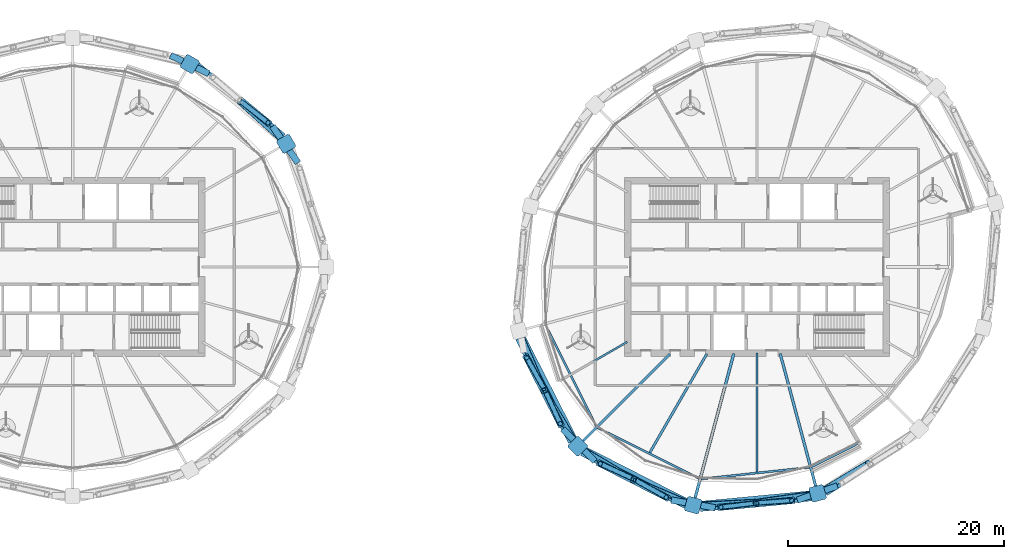
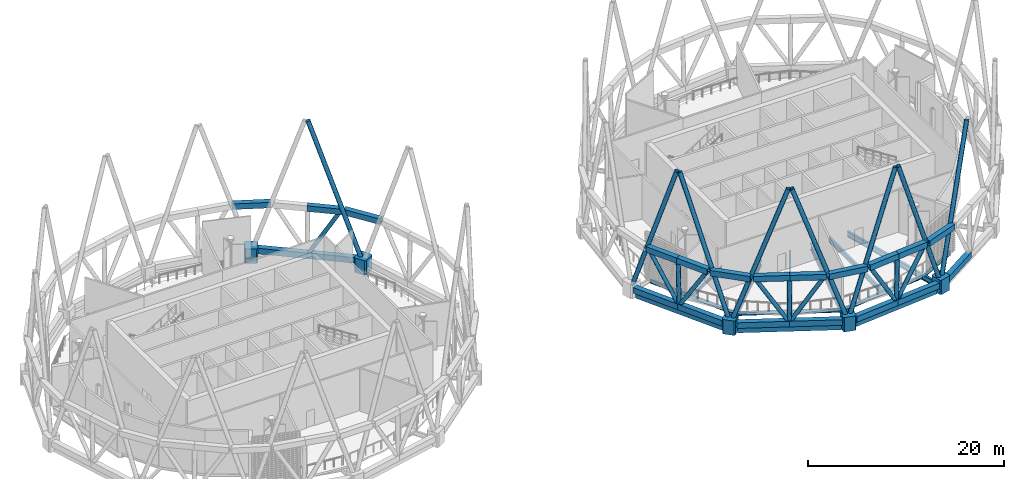
# One storey, part 6 of 22: 44 members, 13 beams.
"""IFC4 building model written with IfcOpenShell, lengths in metres."""

from ifc_helpers import new_model, si_unit, direction, frame, origin, origin_2d, place, context, subcontext, project, spatial, polyline, hollow_rectangle, hollow_circle, i_section, outline, extrude, material, material_profile, profile_set, type_object, element, save


model = new_model("IFC4")

# Units and contexts
model_context = context("Model", 3, precision=1e-05, world=origin(), true_north=direction((0.0, 1.0)))
body_context = subcontext(model_context, "Body", "Model", "MODEL_VIEW")
ifc_project = project(units=[si_unit("LENGTHUNIT", "METRE"), si_unit("AREAUNIT", "SQUARE_METRE"), si_unit("VOLUMEUNIT", "CUBIC_METRE"), si_unit("PLANEANGLEUNIT", "RADIAN"), si_unit("MASSUNIT", "GRAM", prefix="KILO")], contexts=[model_context])

# Site, building, storey
site_placement = place(None, origin())
site = spatial("IfcSite", under=ifc_project, at=site_placement, CompositionType="ELEMENT")
building_placement = place(site_placement, origin())
building = spatial("IfcBuilding", under=site, at=building_placement, Name="Rimbun Link Towers", CompositionType="ELEMENT")
storey_placement = place(building_placement, frame((0.0, 0.0, 204.5)))
storey = spatial("IfcBuildingStorey", under=building, at=storey_placement, Name="L50", CompositionType="ELEMENT", Elevation=204.5)

# Members
ifc_material_1 = material(Name="Steel S460N", Category="steel")
ifc_material_profile_1 = material_profile(ifc_material_1, hollow_rectangle(XDim=0.60009765625, YDim=0.699951171875, WallThickness=0.034912109375, at=origin_2d()), Name="Belt truss chord BOX 600x700x35")
ifc_profile_set_1 = profile_set([ifc_material_profile_1], Name="Steel S460N")
member_type_1 = type_object("IfcMemberType", Name="Belt truss chord BOX 600x700x35", PredefinedType="CHORD", material=ifc_profile_set_1)
member_1_placement = place(storey_placement, frame((-10.83544921875, 9.66259765625, 6.0), z_axis=(-0.572589892048, 0.819841945453, 0.0), x_axis=(-0.819841945453, -0.572589892048, 0.0)))
element("IfcMember", 1, at=member_1_placement, inside=storey, type_object=member_type_1, Name="Belt truss chord T1 L50 top 01", PredefinedType="CHORD", context=body_context, shape_type="SweptSolid", body=[
    extrude(hollow_rectangle(XDim=0.60009765625, YDim=0.699951171875, WallThickness=0.034912109375, at=origin_2d()), origin(), (0.0, 0.0, 1.0), 4.152099609375),
])
member_2_placement = place(storey_placement, frame((-19.102294921875, 17.935791015625, 6.0), z_axis=(-0.902203286827, 0.431311058564, 0.0), x_axis=(-0.431311058564, -0.902203286827, 0.0)))
element("IfcMember", 2, at=member_2_placement, inside=storey, type_object=member_type_1, Name="Belt truss chord T1 L50 top 02", PredefinedType="CHORD", context=body_context, shape_type="SweptSolid", body=[
    extrude(hollow_rectangle(XDim=0.60009765625, YDim=0.699951171875, WallThickness=0.034912109375, at=origin_2d()), origin(), (0.0, 0.0, 1.0), 3.947509765625),
])
for number, where, z_axis, x_axis, name in (
    (3, (-12.197509765625, 12.10595703125, 0.18994140625), (-0.770640371159, 0.637270286723, 0.0), (-0.637270286723, -0.770640371159, 0.0), "Belt truss chord T1 L50 bottom 02"),
    (4, (-16.185546875, 15.40380859375, 0.18994140625), (-0.770640371159, 0.637270286723, 0.0), (-0.637270286723, -0.770640371159, 0.0), "Belt truss chord T1 L50 bottom 03"),
):
    element("IfcMember", number, at=place(storey_placement, frame(where, z_axis=z_axis, x_axis=x_axis)), inside=storey, type_object=member_type_1, Name=name, PredefinedType="CHORD", context=body_context, shape_type="SweptSolid", body=[
        extrude(hollow_rectangle(XDim=0.60009765625, YDim=0.699951171875, WallThickness=0.034912109375, at=origin_2d()), origin(), (0.0, 0.0, 1.0), 5.175048828125),
    ])
member_3_placement = place(storey_placement, frame((-13.40966796875, 13.220458984375, 6.0), z_axis=(-0.77064075529, 0.6372698222, 0.0), x_axis=(-0.6372698222, -0.77064075529, 0.0)))
element("IfcMember", 5, at=member_3_placement, inside=storey, type_object=member_type_1, Name="Belt truss chord T1 L50 top 14", PredefinedType="CHORD", context=body_context, shape_type="SweptSolid", body=[
    extrude(hollow_rectangle(XDim=0.60009765625, YDim=0.699951171875, WallThickness=0.034912109375, at=origin_2d()), origin(), (0.0, 0.0, 1.0), 3.5732421875),
])
member_4_placement = place(storey_placement, frame((13.725341796875, -15.012939453125, 6.0), z_axis=(0.707106781187, -0.707106781187, 0.0), x_axis=(0.707106781187, 0.707106781187, 0.0)))
element("IfcMember", 6, at=member_4_placement, inside=storey, type_object=member_type_1, Name="Belt truss chord T2 L50 top 06", PredefinedType="CHORD", context=body_context, shape_type="SweptSolid", body=[
    extrude(hollow_rectangle(XDim=0.60009765625, YDim=0.699951171875, WallThickness=0.034912109375, at=origin_2d()), origin(), (0.0, 0.0, 1.0), 4.25927734375),
])
member_5_placement = place(storey_placement, frame((23.79345703125, -21.62109375, 6.0), z_axis=(0.984581641685, -0.174925672381, 0.0), x_axis=(0.174925672381, 0.984581641685, 0.0)))
element("IfcMember", 7, at=member_5_placement, inside=storey, type_object=member_type_1, Name="Belt truss chord T2 L50 top 07", PredefinedType="CHORD", context=body_context, shape_type="SweptSolid", body=[
    extrude(hollow_rectangle(XDim=0.60009765625, YDim=0.699951171875, WallThickness=0.034912109375, at=origin_2d()), origin(), (0.0, 0.0, 1.0), 4.152099609375),
])
member_6_placement = place(storey_placement, frame((35.4892578125, -21.625732421875, 6.0), z_axis=(0.942930944728, 0.332988338346, 0.0), x_axis=(-0.332988338346, 0.942930944728, 0.0)))
element("IfcMember", 8, at=member_6_placement, inside=storey, type_object=member_type_1, Name="Belt truss chord T2 L50 top 08", PredefinedType="CHORD", context=body_context, shape_type="SweptSolid", body=[
    extrude(hollow_rectangle(XDim=0.60009765625, YDim=0.699951171875, WallThickness=0.034912109375, at=origin_2d()), origin(), (0.0, 0.0, 1.0), 3.947509765625),
])
for number, where, z_axis, x_axis, name in (
    (9, (9.62548828125, -6.63671875, 0.18994140625), (0.454431449541, -0.89078171157, 0.0), (0.89078171157, 0.454431449541, 0.0), "Belt truss chord T2 L50 bottom 10"),
    (10, (12.07373046875, -11.435791015625, 0.18994140625), (0.454395490338, -0.890800055209, 0.0), (0.890800055209, 0.454395490338, 0.0), "Belt truss chord T2 L50 bottom 11"),
):
    element("IfcMember", number, at=place(storey_placement, frame(where, z_axis=z_axis, x_axis=x_axis)), inside=storey, type_object=member_type_1, Name=name, PredefinedType="CHORD", context=body_context, shape_type="SweptSolid", body=[
        extrude(hollow_rectangle(XDim=0.60009765625, YDim=0.699951171875, WallThickness=0.034912109375, at=origin_2d()), origin(), (0.0, 0.0, 1.0), 5.387451171875),
    ])
member_7_placement = place(storey_placement, frame((10.24560546875, -8.16552734375, 6.0), z_axis=(0.454387499691, -0.890804131178, 0.0), x_axis=(0.890804131178, 0.454387499691, 0.0)))
element("IfcMember", 11, at=member_7_placement, inside=storey, type_object=member_type_1, Name="Belt truss chord T2 L50 top 22", PredefinedType="CHORD", context=body_context, shape_type="SweptSolid", body=[
    extrude(hollow_rectangle(XDim=0.60009765625, YDim=0.699951171875, WallThickness=0.034912109375, at=origin_2d()), origin(), (0.0, 0.0, 1.0), 3.722412109375),
])
member_8_placement = place(storey_placement, frame((11.93701171875, -11.4814453125, 6.0), z_axis=(0.454378062546, -0.890808944879, 0.0), x_axis=(0.890808944879, 0.454378062546, 0.0)))
element("IfcMember", 12, at=member_8_placement, inside=storey, type_object=member_type_1, Name="Belt truss chord T2 L50 top 23", PredefinedType="CHORD", context=body_context, shape_type="SweptSolid", body=[
    extrude(hollow_rectangle(XDim=0.60009765625, YDim=0.699951171875, WallThickness=0.034912109375, at=origin_2d()), origin(), (0.0, 0.0, 1.0), 3.727294921875),
])
for number, where, z_axis, x_axis, name in (
    (13, (15.51513671875, -17.228271484375, 0.18994140625), (0.890800055209, -0.454395490338, 0.0), (0.454395490338, 0.890800055209, 0.0), "Belt truss chord T2 L50 bottom 12"),
    (14, (20.314208984375, -19.67626953125, 0.18994140625), (0.89078171157, -0.454431449541, 0.0), (0.454431449541, 0.89078171157, 0.0), "Belt truss chord T2 L50 bottom 13"),
):
    element("IfcMember", number, at=place(storey_placement, frame(where, z_axis=z_axis, x_axis=x_axis)), inside=storey, type_object=member_type_1, Name=name, PredefinedType="CHORD", context=body_context, shape_type="SweptSolid", body=[
        extrude(hollow_rectangle(XDim=0.60009765625, YDim=0.699951171875, WallThickness=0.034912109375, at=origin_2d()), origin(), (0.0, 0.0, 1.0), 5.387451171875),
    ])
member_9_placement = place(storey_placement, frame((16.9482421875, -18.119384765625, 6.0), z_axis=(0.890808944879, -0.454378062546, 0.0), x_axis=(0.454378062546, 0.890808944879, 0.0)))
element("IfcMember", 15, at=member_9_placement, inside=storey, type_object=member_type_1, Name="Belt truss chord T2 L50 top 24", PredefinedType="CHORD", context=body_context, shape_type="SweptSolid", body=[
    extrude(hollow_rectangle(XDim=0.60009765625, YDim=0.699951171875, WallThickness=0.034912109375, at=origin_2d()), origin(), (0.0, 0.0, 1.0), 3.727294921875),
])
member_10_placement = place(storey_placement, frame((20.2685546875, -19.81298828125, 6.0), z_axis=(0.890804131178, -0.454387499691, 0.0), x_axis=(0.454387499691, 0.890804131178, 0.0)))
element("IfcMember", 16, at=member_10_placement, inside=storey, type_object=member_type_1, Name="Belt truss chord T2 L50 top 25", PredefinedType="CHORD", context=body_context, shape_type="SweptSolid", body=[
    extrude(hollow_rectangle(XDim=0.60009765625, YDim=0.699951171875, WallThickness=0.034912109375, at=origin_2d()), origin(), (0.0, 0.0, 1.0), 3.722412109375),
])
member_11_placement = place(storey_placement, frame((26.484375, -22.385986328125, 0.18994140625), z_axis=(0.99554347388, 0.094303720053, 0.0), x_axis=(-0.094303720053, 0.99554347388, 0.0)))
element("IfcMember", 17, at=member_11_placement, inside=storey, type_object=member_type_1, Name="Belt truss chord T2 L50 bottom 14", PredefinedType="CHORD", context=body_context, shape_type="SweptSolid", body=[
    extrude(hollow_rectangle(XDim=0.60009765625, YDim=0.699951171875, WallThickness=0.034912109375, at=origin_2d()), origin(), (0.0, 0.0, 1.0), 5.175048828125),
])
member_12_placement = place(storey_placement, frame((31.636474609375, -21.89794921875, 0.18994140625), z_axis=(0.99554305431, 0.094308149254, 0.0), x_axis=(-0.094308149254, 0.99554305431, 0.0)))
element("IfcMember", 18, at=member_12_placement, inside=storey, type_object=member_type_1, Name="Belt truss chord T2 L50 bottom 15", PredefinedType="CHORD", context=body_context, shape_type="SweptSolid", body=[
    extrude(hollow_rectangle(XDim=0.60009765625, YDim=0.699951171875, WallThickness=0.034912109375, at=origin_2d()), origin(), (0.0, 0.0, 1.0), 5.1748046875),
])
member_13_placement = place(storey_placement, frame((28.129638671875, -22.31689453125, 6.0), z_axis=(0.995545081379, 0.094286748494, 0.0), x_axis=(-0.094286748494, 0.995545081379, 0.0)))
element("IfcMember", 19, at=member_13_placement, inside=storey, type_object=member_type_1, Name="Belt truss chord T2 L50 top 26", PredefinedType="CHORD", context=body_context, shape_type="SweptSolid", body=[
    extrude(hollow_rectangle(XDim=0.60009765625, YDim=0.699951171875, WallThickness=0.034912109375, at=origin_2d()), origin(), (0.0, 0.0, 1.0), 3.5732421875),
])
member_14_placement = place(storey_placement, frame((31.68701171875, -21.97998046875, 6.0), z_axis=(0.995539400305, 0.094346713986, 0.0), x_axis=(-0.094346713986, 0.995539400305, 0.0)))
element("IfcMember", 20, at=member_14_placement, inside=storey, type_object=member_type_1, Name="Belt truss chord T2 L50 top 27", PredefinedType="CHORD", context=body_context, shape_type="SweptSolid", body=[
    extrude(hollow_rectangle(XDim=0.60009765625, YDim=0.699951171875, WallThickness=0.034912109375, at=origin_2d()), origin(), (0.0, 0.0, 1.0), 3.563232421875),
])
member_15_placement = place(storey_placement, frame((38.0927734375, -20.9619140625, 0.18994140625), z_axis=(0.843500783691, 0.537127943708, 0.0), x_axis=(-0.537127943708, 0.843500783691, 0.0)))
element("IfcMember", 21, at=member_15_placement, inside=storey, type_object=member_type_1, Name="Belt truss chord T2 L50 bottom 16", PredefinedType="CHORD", context=body_context, shape_type="SweptSolid", body=[
    extrude(hollow_rectangle(XDim=0.60009765625, YDim=0.699951171875, WallThickness=0.034912109375, at=origin_2d()), origin(), (0.0, 0.0, 1.0), 4.943115234375),
])
ifc_material_2 = material(Name="Steel S355J2H", Category="steel")
ifc_material_profile_2 = material_profile(ifc_material_2, hollow_circle(Radius=0.228515625, WallThickness=0.01611328125, at=origin_2d()), Name="Belt truss diagonal CHS 457x16")
ifc_profile_set_2 = profile_set([ifc_material_profile_2], Name="Steel S355J2H")
member_type_2 = type_object("IfcMemberType", Name="Belt truss diagonal CHS 457x16", PredefinedType="BRACE", material=ifc_profile_set_2)
member_16_placement = place(storey_placement, frame((-16.04541015625, 15.293701171875, 0.4912109375), z_axis=(0.40040567117, -0.314457462, 0.860692629855), x_axis=(0.617643022203, 0.786458579407, 0.0)))
element("IfcMember", 22, at=member_16_placement, inside=storey, type_object=member_type_2, Name="Belt truss diagonal T1 L50 02", PredefinedType="BRACE", context=body_context, shape_type="SweptSolid", body=[
    extrude(hollow_circle(Radius=0.228515625, WallThickness=0.01611328125, at=origin_2d()), origin(), (0.0, 0.0, 1.0), 6.05029296875),
])
member_17_placement = place(storey_placement, frame((11.98291015625, -11.2734375, 0.486572265625), z_axis=(-0.259690189986, 0.463270803117, 0.847314090644), x_axis=(-0.872298406148, -0.488973916106, 0.0)))
element("IfcMember", 23, at=member_17_placement, inside=storey, type_object=member_type_2, Name="Belt truss diagonal T2 L50 10", PredefinedType="BRACE", context=body_context, shape_type="SweptSolid", body=[
    extrude(hollow_circle(Radius=0.228515625, WallThickness=0.01611328125, at=origin_2d()), origin(), (0.0, 0.0, 1.0), 6.156982421875),
])
for number, where, z_axis, x_axis, name in (
    (24, (12.15087890625, -11.60302734375, 0.487548828125), (0.220491260335, -0.478195395835, 0.850125148151), (0.908114172832, 0.418722639824, 0.0), "Belt truss diagonal T2 L50 11"),
    (25, (20.14697265625, -19.59912109375, 0.487548828125), (-0.478195395835, 0.220491260335, 0.850125148151), (-0.418722639824, -0.908114172832, 0.0), "Belt truss diagonal T2 L50 12"),
):
    element("IfcMember", number, at=place(storey_placement, frame(where, z_axis=z_axis, x_axis=x_axis)), inside=storey, type_object=member_type_2, Name=name, PredefinedType="BRACE", context=body_context, shape_type="SweptSolid", body=[
        extrude(hollow_circle(Radius=0.228515625, WallThickness=0.01611328125, at=origin_2d()), origin(), (0.0, 0.0, 1.0), 6.13427734375),
    ])
member_18_placement = place(storey_placement, frame((20.4765625, -19.76708984375, 0.486572265625), z_axis=(0.463270803117, -0.259690189986, 0.847314090644), x_axis=(0.488973916106, 0.872298406148, 0.0)))
element("IfcMember", 26, at=member_18_placement, inside=storey, type_object=member_type_2, Name="Belt truss diagonal T2 L50 13", PredefinedType="BRACE", context=body_context, shape_type="SweptSolid", body=[
    extrude(hollow_circle(Radius=0.228515625, WallThickness=0.01611328125, at=origin_2d()), origin(), (0.0, 0.0, 1.0), 6.156982421875),
])
member_19_placement = place(storey_placement, frame((31.45947265625, -21.919189453125, 0.4912109375), z_axis=(-0.505481623134, -0.06076916456, 0.860694741074), x_axis=(0.119360861528, -0.992850937823, 0.0)))
element("IfcMember", 27, at=member_19_placement, inside=storey, type_object=member_type_2, Name="Belt truss diagonal T2 L50 14", PredefinedType="BRACE", context=body_context, shape_type="SweptSolid", body=[
    extrude(hollow_circle(Radius=0.228515625, WallThickness=0.01611328125, at=origin_2d()), origin(), (0.0, 0.0, 1.0), 6.05029296875),
])
member_20_placement = place(storey_placement, frame((31.8173828125, -21.88525390625, 0.4892578125), z_axis=(0.517112660292, 0.03621551324, 0.855150824806), x_axis=(-0.069862965951, 0.997556597887, 0.0)))
element("IfcMember", 28, at=member_20_placement, inside=storey, type_object=member_type_2, Name="Belt truss diagonal T2 L50 15", PredefinedType="BRACE", context=body_context, shape_type="SweptSolid", body=[
    extrude(hollow_circle(Radius=0.228515625, WallThickness=0.01611328125, at=origin_2d()), origin(), (0.0, 0.0, 1.0), 6.09423828125),
])
ifc_material_3 = material(Name="Steel S355J2H", Category="steel")
ifc_material_profile_3 = material_profile(ifc_material_3, hollow_circle(Radius=0.25390625, WallThickness=0.02001953125, at=origin_2d()), Name="Belt truss strut CHS 508x20")
ifc_profile_set_3 = profile_set([ifc_material_profile_3], Name="Steel S355J2H")
member_type_3 = type_object("IfcMemberType", Name="Belt truss strut CHS 508x20", PredefinedType="STRUT", material=ifc_profile_set_3)
for number, where, z_axis, x_axis, name in (
    (29, (12.07373046875, -11.435791015625, 0.5400390625), (-0.026745214352, -0.008930991221, 0.999602386404), (0.316735853041, -0.948513784506, 0.0), "Belt truss strut T2 L50 05"),
    (30, (20.314208984375, -19.67626953125, 0.5400390625), (-0.008930991221, -0.026745214352, 0.999602386404), (0.948513784506, -0.316735853041, 0.0), "Belt truss strut T2 L50 06"),
):
    element("IfcMember", number, at=place(storey_placement, frame(where, z_axis=z_axis, x_axis=x_axis)), inside=storey, type_object=member_type_3, Name=name, PredefinedType="STRUT", context=body_context, shape_type="SweptSolid", body=[
        extrude(hollow_circle(Radius=0.25390625, WallThickness=0.02001953125, at=origin_2d()), origin(), (0.0, 0.0, 1.0), 5.11181640625),
    ])
member_21_placement = place(storey_placement, frame((31.636474609375, -21.89794921875, 0.5400390625), z_axis=(0.009888352246, -0.016050658718, 0.999822282631), x_axis=(0.851397206432, 0.524521493248, 0.0)))
element("IfcMember", 31, at=member_21_placement, inside=storey, type_object=member_type_3, Name="Belt truss strut T2 L50 07", PredefinedType="STRUT", context=body_context, shape_type="SweptSolid", body=[
    extrude(hollow_circle(Radius=0.25390625, WallThickness=0.02001953125, at=origin_2d()), origin(), (0.0, 0.0, 1.0), 5.11083984375),
])
ifc_material_4 = material(Name="Steel S355J2H", Category="steel")
ifc_material_profile_4 = material_profile(ifc_material_4, hollow_circle(Radius=0.25390625, WallThickness=0.02001953125, at=origin_2d()), Name="Diagrid diagonal CHS 508x20")
ifc_profile_set_4 = profile_set([ifc_material_profile_4], Name="Steel S355J2H")
member_type_4 = type_object("IfcMemberType", Name="Diagrid diagonal CHS 508x20", PredefinedType="BRACE", material=ifc_profile_set_4)
member_22_placement = place(storey_placement, frame((-12.05859375, 11.5458984375, 0.473388671875), z_axis=(-0.239655292138, 0.215862520358, 0.946556238823), x_axis=(-0.669260599878, -0.743027758197, 0.0)))
element("IfcMember", 32, at=member_22_placement, inside=storey, type_object=member_type_4, Name="Diagrid diagonal T1 L50-L54 02b", PredefinedType="BRACE", context=body_context, shape_type="SweptSolid", body=[
    extrude(hollow_circle(Radius=0.25390625, WallThickness=0.02001953125, at=origin_2d()), origin(), (0.0, 0.0, 1.0), 17.38232421875),
])
member_23_placement = place(storey_placement, frame((9.716796875, -6.070068359375, 0.472900390625), z_axis=(0.126969019584, -0.298375792429, 0.945965514466), x_axis=(0.920153972, 0.39155672362, 0.0)))
element("IfcMember", 33, at=member_23_placement, inside=storey, type_object=member_type_4, Name="Diagrid diagonal T2 L50-L54 10b", PredefinedType="BRACE", context=body_context, shape_type="SweptSolid", body=[
    extrude(hollow_circle(Radius=0.25390625, WallThickness=0.02001953125, at=origin_2d()), origin(), (0.0, 0.0, 1.0), 17.39404296875),
])
for number, where, z_axis, x_axis, name in (
    (34, (15.03271484375, -16.49072265625, 0.471923828125), (-0.16972046271, 0.283343551359, 0.943881028754), (-0.857874268826, -0.513859649015, 0.0), "Diagrid diagonal T2 L50-L54 12a"),
    (35, (15.25927734375, -16.71728515625, 0.471923828125), (0.283343551359, -0.16972046271, 0.943881028754), (0.513859649015, 0.857874268826, 0.0), "Diagrid diagonal T2 L50-L54 12b"),
):
    element("IfcMember", number, at=place(storey_placement, frame(where, z_axis=z_axis, x_axis=x_axis)), inside=storey, type_object=member_type_4, Name=name, PredefinedType="BRACE", context=body_context, shape_type="SweptSolid", body=[
        extrude(hollow_circle(Radius=0.25390625, WallThickness=0.02001953125, at=origin_2d()), origin(), (0.0, 0.0, 1.0), 17.4345703125),
    ])
member_24_placement = place(storey_placement, frame((25.679931640625, -22.033203125, 0.472900390625), z_axis=(-0.298375792429, 0.126969019584, 0.945965514466), x_axis=(-0.39155672362, -0.920153972, 0.0)))
element("IfcMember", 36, at=member_24_placement, inside=storey, type_object=member_type_4, Name="Diagrid diagonal T2 L50-L54 14a", PredefinedType="BRACE", context=body_context, shape_type="SweptSolid", body=[
    extrude(hollow_circle(Radius=0.25390625, WallThickness=0.02001953125, at=origin_2d()), origin(), (0.0, 0.0, 1.0), 17.39404296875),
])
member_25_placement = place(storey_placement, frame((25.990234375, -22.088134765625, 0.473388671875), z_axis=(0.322101142758, 0.016826283915, 0.946555719439), x_axis=(-0.052167998553, 0.998638322881, 0.0)))
element("IfcMember", 37, at=member_25_placement, inside=storey, type_object=member_type_4, Name="Diagrid diagonal T2 L50-L54 14b", PredefinedType="BRACE", context=body_context, shape_type="SweptSolid", body=[
    extrude(hollow_circle(Radius=0.25390625, WallThickness=0.02001953125, at=origin_2d()), origin(), (0.0, 0.0, 1.0), 17.38232421875),
])
member_26_placement = place(storey_placement, frame((37.223876953125, -21.023681640625, 0.475341796875), z_axis=(-0.307441985786, -0.042890350915, 0.950599728158), x_axis=(0.138169075099, -0.990408656407, 0.0)))
element("IfcMember", 38, at=member_26_placement, inside=storey, type_object=member_type_4, Name="Diagrid diagonal T2 L50-L54 16a", PredefinedType="BRACE", context=body_context, shape_type="SweptSolid", body=[
    extrude(hollow_circle(Radius=0.25390625, WallThickness=0.02001953125, at=origin_2d()), origin(), (0.0, 0.0, 1.0), 17.30419921875),
])
member_27_placement = place(storey_placement, frame((37.509521484375, -20.923095703125, 0.4755859375), z_axis=(0.263616379023, 0.158844861587, 0.951459255385), x_axis=(-0.516107546646, 0.856523788517, 0.0)))
element("IfcMember", 39, at=member_27_placement, inside=storey, type_object=member_type_4, Name="Diagrid diagonal T2 L50-L54 16b", PredefinedType="BRACE", context=body_context, shape_type="SweptSolid", body=[
    extrude(hollow_circle(Radius=0.25390625, WallThickness=0.02001953125, at=origin_2d()), origin(), (0.0, 0.0, 1.0), 17.287841796875),
])
ifc_material_5 = material(Name="Cast steel G20Mn5+QT, Rp0.2 300 MPa", Category="steel")
ifc_material_profile_5 = material_profile(ifc_material_5, outline(polyline([(0.699951171875, -0.570068359375), (0.699951171875, 0.570068359375), (0.570068359375, 0.699951171875), (-0.570068359375, 0.699951171875), (-0.699951171875, 0.570068359375), (-0.699951171875, -0.570068359375), (-0.570068359375, -0.699951171875), (0.570068359375, -0.699951171875), (0.699951171875, -0.570068359375)])), Name="NODE 1400x1400")
ifc_profile_set_5 = profile_set([ifc_material_profile_5], Name="Cast steel G20Mn5+QT, Rp0.2 300 MPa")
member_type_5 = type_object("IfcMemberType", Name="Diagrid node cast 1400", PredefinedType="USERDEFINED", material=ifc_profile_set_5)
for number, where, z_axis, x_axis, name in (
    (40, (-11.938720703125, 11.43798828125, -0.89990234375), (0.0, 0.0, 1.0), (0.866025403784, 0.5, 0.0), "Diagrid node L50 02"),
    (41, (-20.87841796875, 18.830322265625, -0.89990234375), (0.0, 0.0, 1.0), (0.5, 0.866025403784, 0.0), "Diagrid node L50 04"),
    (42, (15.117431640625, -16.632568359375, -0.89990234375), (0.0, 0.0, 1.0), (-0.707106781187, -0.707106781187, 0.0), "Diagrid node L50 12"),
    (43, (25.8291015625, -22.0966796875, -0.89990234375), (0.0, 0.0, 1.0), (-0.258819045103, -0.965925826289, 0.0), "Diagrid node L50 14"),
    (44, (37.377685546875, -21.00244140625, -0.89990234375), (0.0, 0.0, 1.0), (0.258819045103, -0.965925826289, 0.0), "Diagrid node L50 16"),
):
    element("IfcMember", number, at=place(storey_placement, frame(where, z_axis=z_axis, x_axis=x_axis)), inside=storey, type_object=member_type_5, Name=name, ObjectType="Diagrid node", PredefinedType="USERDEFINED", context=body_context, shape_type="SweptSolid", body=[
        extrude(outline(polyline([(0.699951171875, -0.570068359375), (0.699951171875, 0.570068359375), (0.570068359375, 0.699951171875), (-0.570068359375, 0.699951171875), (-0.699951171875, 0.570068359375), (-0.699951171875, -0.570068359375), (-0.570068359375, -0.699951171875), (0.570068359375, -0.699951171875), (0.699951171875, -0.570068359375)])), origin(), (0.0, 0.0, 1.0), 1.7998046875),
    ])

# Beams
ifc_material_6 = material(Name="Steel S355J2", Category="steel")
ifc_material_profile_6 = material_profile(ifc_material_6, hollow_rectangle(XDim=0.60009765625, YDim=0.800048828125, WallThickness=0.0400390625, at=origin_2d()), Name="Exoskeleton ring girder BOX 600x800x40")
ifc_profile_set_6 = profile_set([ifc_material_profile_6], Name="Steel S355J2")
beam_type_1 = type_object("IfcBeamType", Name="Exoskeleton ring girder BOX 600x800x40", PredefinedType="BEAM", material=ifc_profile_set_6)
for number, where, z_axis, x_axis, name in (
    (45, (9.971435546875, -6.54443359375, -0.56005859375), (0.454405223827, -0.890795090107, 0.0), (0.890795090107, 0.454405223827, 0.0), "Exoskeleton ring girder L50 05"),
    (46, (15.7412109375, -16.95068359375, -0.56005859375), (0.890795090107, -0.454405223827, 0.0), (0.454405223827, 0.890795090107, 0.0), "Exoskeleton ring girder L50 06"),
):
    element("IfcBeam", number, at=place(storey_placement, frame(where, z_axis=z_axis, x_axis=x_axis)), inside=storey, type_object=beam_type_1, Name=name, PredefinedType="BEAM", context=body_context, shape_type="SweptSolid", body=[
        extrude(hollow_rectangle(XDim=0.60009765625, YDim=0.800048828125, WallThickness=0.0400390625, at=origin_2d()), origin(), (0.0, 0.0, 1.0), 10.62451171875),
    ])
beam_1_placement = place(storey_placement, frame((26.526123046875, -22.030517578125, -0.56005859375), z_axis=(0.995541075967, 0.094329030856, 0.0), x_axis=(-0.094329030856, 0.995541075967, 0.0)))
element("IfcBeam", 47, at=beam_1_placement, inside=storey, type_object=beam_type_1, Name="Exoskeleton ring girder L50 07", PredefinedType="BEAM", context=body_context, shape_type="SweptSolid", body=[
    extrude(hollow_rectangle(XDim=0.60009765625, YDim=0.800048828125, WallThickness=0.0400390625, at=origin_2d()), origin(), (0.0, 0.0, 1.0), 10.199951171875),
])
ifc_material_7 = material(Name="Steel S355J2", Category="steel")
ifc_material_profile_7 = material_profile(ifc_material_7, i_section(OverallWidth=0.17138671875, OverallDepth=0.35498046875, WebThickness=0.00732421875, FlangeThickness=0.011474609375, at=origin_2d()), Name="UB 356x171x51")
ifc_profile_set_7 = profile_set([ifc_material_profile_7], Name="Steel S355J2")
beam_type_2 = type_object("IfcBeamType", Name="UB 356x171x51", PredefinedType="BEAM", material=ifc_profile_set_7)
beam_2_placement = place(storey_placement, frame((19.706298828125, -6.95361328125, -0.37744140625), z_axis=(-0.86604146515, -0.499972179867, 0.0), x_axis=(0.499972179867, -0.86604146515, 0.0)))
element("IfcBeam", 48, at=beam_2_placement, inside=storey, type_object=beam_type_2, Name="Radial beam T2 L50 11", PredefinedType="BEAM", context=body_context, shape_type="SweptSolid", body=[
    extrude(i_section(OverallWidth=0.17138671875, OverallDepth=0.35498046875, WebThickness=0.00732421875, FlangeThickness=0.011474609375, at=origin_2d()), origin(), (0.0, 0.0, 1.0), 5.980224609375),
])
ifc_material_8 = material(Name="Steel S355J2", Category="steel")
ifc_material_profile_8 = material_profile(ifc_material_8, i_section(OverallWidth=0.18994140625, OverallDepth=0.453369140625, WebThickness=0.008544921875, FlangeThickness=0.0126953125, at=origin_2d()), Name="UB 457x191x67")
ifc_profile_set_8 = profile_set([ifc_material_profile_8], Name="Steel S355J2")
beam_type_3 = type_object("IfcBeamType", Name="UB 457x191x67", PredefinedType="BEAM", material=ifc_profile_set_8)
beam_3_placement = place(storey_placement, frame((12.123779296875, -5.3681640625, -0.4267578125), z_axis=(0.44847784154, -0.893793950331, 0.0), x_axis=(0.893793950331, 0.44847784154, 0.0)))
element("IfcBeam", 49, at=beam_3_placement, inside=storey, type_object=beam_type_3, Name="Edge beam T2 L50 10-12", PredefinedType="BEAM", context=body_context, shape_type="SweptSolid", body=[
    extrude(i_section(OverallWidth=0.18994140625, OverallDepth=0.453369140625, WebThickness=0.008544921875, FlangeThickness=0.0126953125, at=origin_2d()), origin(), (0.0, 0.0, 1.0), 10.50146484375),
])
beam_4_placement = place(storey_placement, frame((16.99560546875, -14.91650390625, -0.4267578125), z_axis=(0.893796854229, -0.448472054169, 0.0), x_axis=(0.448472054169, 0.893796854229, 0.0)))
element("IfcBeam", 50, at=beam_4_placement, inside=storey, type_object=beam_type_3, Name="Edge beam T2 L50 12-14", PredefinedType="BEAM", context=body_context, shape_type="SweptSolid", body=[
    extrude(i_section(OverallWidth=0.18994140625, OverallDepth=0.453369140625, WebThickness=0.008544921875, FlangeThickness=0.0126953125, at=origin_2d()), origin(), (0.0, 0.0, 1.0), 10.472412109375),
])
beam_5_placement = place(storey_placement, frame((26.621337890625, -19.6591796875, -0.4267578125), z_axis=(0.994374584339, 0.105920659088, 0.0), x_axis=(-0.105920659088, 0.994374584339, 0.0)))
element("IfcBeam", 51, at=beam_5_placement, inside=storey, type_object=beam_type_3, Name="Edge beam T2 L50 14-16", PredefinedType="BEAM", context=body_context, shape_type="SweptSolid", body=[
    extrude(i_section(OverallWidth=0.18994140625, OverallDepth=0.453369140625, WebThickness=0.008544921875, FlangeThickness=0.0126953125, at=origin_2d()), origin(), (0.0, 0.0, 1.0), 10.03564453125),
])
beam_6_placement = place(storey_placement, frame((36.86328125, -18.514892578125, -0.4267578125), z_axis=(0.893415288805, 0.449231701609, 0.0), x_axis=(-0.449231701609, 0.893415288805, 0.0)))
element("IfcBeam", 52, at=beam_6_placement, inside=storey, type_object=beam_type_3, Name="Edge beam T2 L50 16", PredefinedType="BEAM", context=body_context, shape_type="SweptSolid", body=[
    extrude(i_section(OverallWidth=0.18994140625, OverallDepth=0.453369140625, WebThickness=0.008544921875, FlangeThickness=0.0126953125, at=origin_2d()), origin(), (0.0, 0.0, 1.0), 4.836181640625),
])
ifc_material_9 = material(Name="Steel S355J2", Category="steel")
ifc_material_profile_9 = material_profile(ifc_material_9, i_section(OverallWidth=0.2275390625, OverallDepth=0.6025390625, WebThickness=0.010498046875, FlangeThickness=0.014892578125, at=origin_2d()), Name="UB 610x229x101")
ifc_profile_set_9 = profile_set([ifc_material_profile_9], Name="Steel S355J2")
beam_type_4 = type_object("IfcBeamType", Name="UB 610x229x101", PredefinedType="BEAM", material=ifc_profile_set_9)
beam_7_placement = place(storey_placement, frame((23.668701171875, -8.081298828125, -0.501220703125), z_axis=(-0.707106781187, -0.707106781187, 0.0), x_axis=(0.707106781187, -0.707106781187, 0.0)))
element("IfcBeam", 53, at=beam_7_placement, inside=storey, type_object=beam_type_4, Name="Radial beam T2 L50 12", PredefinedType="BEAM", context=body_context, shape_type="SweptSolid", body=[
    extrude(i_section(OverallWidth=0.2275390625, OverallDepth=0.6025390625, WebThickness=0.010498046875, FlangeThickness=0.014892578125, at=origin_2d()), origin(), (0.0, 0.0, 1.0), 11.593017578125),
])
beam_8_placement = place(storey_placement, frame((27.097900390625, -8.057861328125, -0.501220703125), z_axis=(-0.500004687011, -0.86602269772, 0.0), x_axis=(0.86602269772, -0.500004687011, 0.0)))
element("IfcBeam", 54, at=beam_8_placement, inside=storey, type_object=beam_type_4, Name="Radial beam T2 L50 13", PredefinedType="BEAM", context=body_context, shape_type="SweptSolid", body=[
    extrude(i_section(OverallWidth=0.2275390625, OverallDepth=0.6025390625, WebThickness=0.010498046875, FlangeThickness=0.014892578125, at=origin_2d()), origin(), (0.0, 0.0, 1.0), 10.5830078125),
])
beam_9_placement = place(storey_placement, frame((31.75, -8.0009765625, -0.501220703125), z_axis=(0.0, -1.0, 0.0), x_axis=(1.0, 0.0, 0.0)))
element("IfcBeam", 55, at=beam_9_placement, inside=storey, type_object=beam_type_4, Name="Radial beam T2 L50 15", PredefinedType="BEAM", context=body_context, shape_type="SweptSolid", body=[
    extrude(i_section(OverallWidth=0.2275390625, OverallDepth=0.6025390625, WebThickness=0.010498046875, FlangeThickness=0.014892578125, at=origin_2d()), origin(), (0.0, 0.0, 1.0), 11.015625),
])
ifc_material_10 = material(Name="Steel S355J2", Category="steel")
ifc_material_profile_10 = material_profile(ifc_material_10, i_section(OverallWidth=0.253662109375, OverallDepth=0.68359375, WebThickness=0.012451171875, FlangeThickness=0.01904296875, at=origin_2d()), Name="UB 686x254x140")
ifc_profile_set_10 = profile_set([ifc_material_profile_10], Name="Steel S355J2")
beam_type_5 = type_object("IfcBeamType", Name="UB 686x254x140", PredefinedType="BEAM", material=ifc_profile_set_10)
beam_10_placement = place(storey_placement, frame((33.902587890625, -8.03369140625, -0.541748046875), z_axis=(0.258833325231, -0.965921999827, 0.0), x_axis=(0.965921999827, 0.258833325231, 0.0)))
element("IfcBeam", 56, at=beam_10_placement, inside=storey, type_object=beam_type_5, Name="Radial beam T2 L50 16", PredefinedType="BEAM", context=body_context, shape_type="SweptSolid", body=[
    extrude(i_section(OverallWidth=0.253662109375, OverallDepth=0.68359375, WebThickness=0.012451171875, FlangeThickness=0.01904296875, at=origin_2d()), origin(), (0.0, 0.0, 1.0), 12.926025390625),
])
ifc_material_11 = material(Name="Steel S355J2", Category="steel")
ifc_material_profile_11 = material_profile(ifc_material_11, i_section(OverallWidth=0.2666015625, OverallDepth=0.76220703125, WebThickness=0.014404296875, FlangeThickness=0.021484375, at=origin_2d()), Name="UB 762x267x173")
ifc_profile_set_11 = profile_set([ifc_material_profile_11], Name="Steel S355J2")
beam_type_6 = type_object("IfcBeamType", Name="UB 762x267x173", PredefinedType="BEAM", material=ifc_profile_set_11)
beam_11_placement = place(storey_placement, frame((29.596923828125, -8.035400390625, -0.5810546875), z_axis=(-0.258830999214, -0.965922623115, 0.0), x_axis=(0.965922623115, -0.258830999214, 0.0)))
element("IfcBeam", 57, at=beam_11_placement, inside=storey, type_object=beam_type_6, Name="Radial beam T2 L50 14", PredefinedType="BEAM", context=body_context, shape_type="SweptSolid", body=[
    extrude(i_section(OverallWidth=0.2666015625, OverallDepth=0.76220703125, WebThickness=0.014404296875, FlangeThickness=0.021484375, at=origin_2d()), origin(), (0.0, 0.0, 1.0), 14.05712890625),
])

save(model, "model.ifc")
